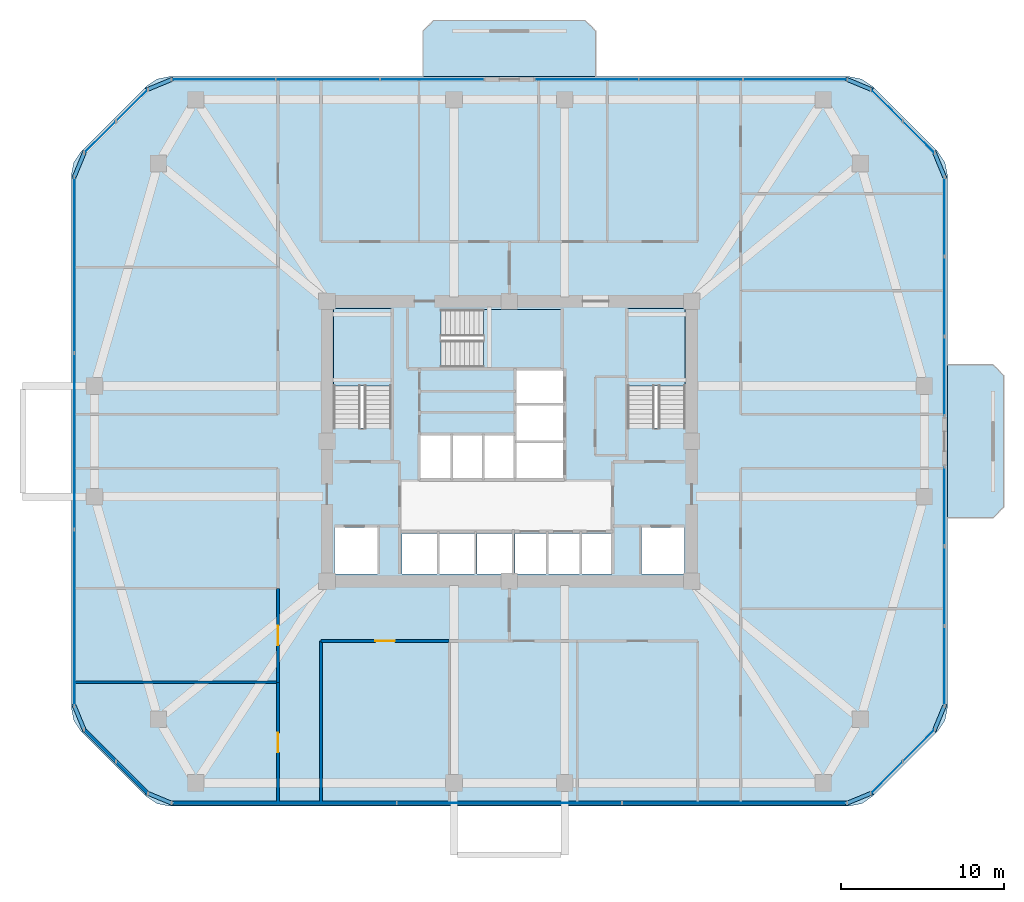
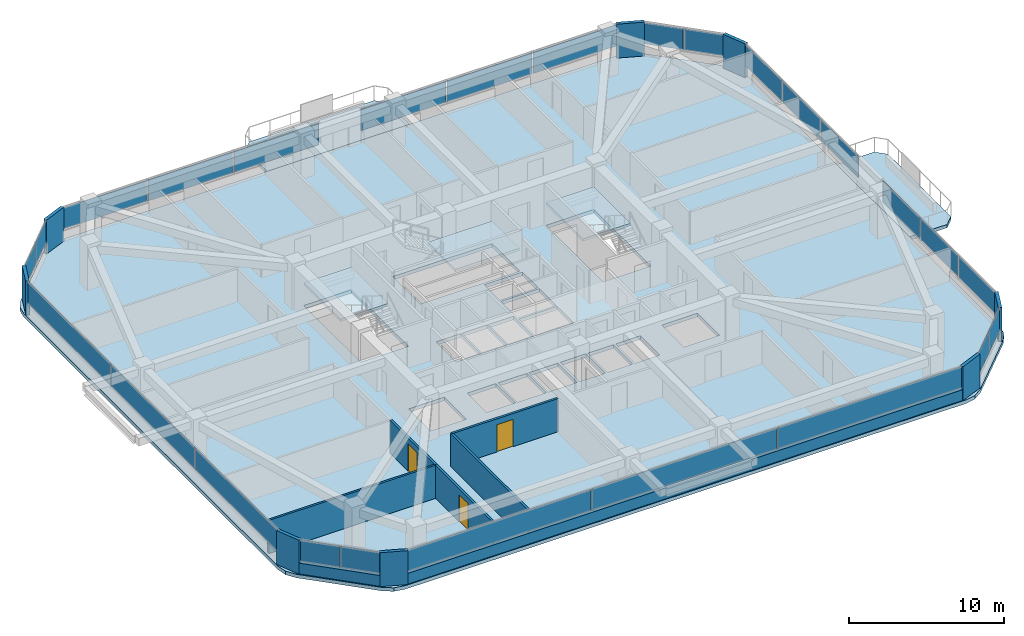
# One storey, part 8 of 14: 34 plates, 7 walls, 6 slabs, 3 doors, 3 openings, 13 elements without a shape of their own.
"""IFC4 building model written with IfcOpenShell, lengths in metres."""

from ifc_helpers import new_model, si_unit, derived_unit, direction, frame, frame_2d, origin, origin_2d, place, context, subcontext, project, spatial, polyline, rectangle, outline, extrude, material, layer, layer_set, type_object, element, fill, aggregate, save


model = new_model("IFC4")

# Units and contexts
model_context = context("Model", 3, precision=1e-05, world=origin(), true_north=direction((0.0, 1.0)))
body_context = subcontext(model_context, "Body", "Model", "MODEL_VIEW")
ifc_project = project(units=[si_unit("LENGTHUNIT", "METRE"), si_unit("AREAUNIT", "SQUARE_METRE"), si_unit("VOLUMEUNIT", "CUBIC_METRE"), si_unit("PLANEANGLEUNIT", "RADIAN"), si_unit("MASSUNIT", "GRAM", prefix="KILO"), derived_unit("THERMALTRANSMITTANCEUNIT", [(si_unit("POWERUNIT", "WATT"), 1), (si_unit("LENGTHUNIT", "METRE"), -2), (si_unit("THERMODYNAMICTEMPERATUREUNIT", "KELVIN"), -1)])], contexts=[model_context])

# Site, building, storey
site_placement = place(None, origin())
site = spatial("IfcSite", under=ifc_project, at=site_placement, CompositionType="ELEMENT")
building_placement = place(site_placement, origin())
building = spatial("IfcBuilding", under=site, at=building_placement, Name="Koralith Skygarden Medical Center", CompositionType="ELEMENT")
storey_placement = place(building_placement, frame((0.0, 0.0, 81.179931640625)))
storey = spatial("IfcBuildingStorey", under=building, at=storey_placement, Name="L20", CompositionType="ELEMENT", Elevation=81.179931640625)

# Curtain wall, plates
ifc_material_1 = material(Name="Clear Laminated Glass", Category="glass")
curtain_wall_type = type_object("IfcCurtainWallType", Name="CW-3 Zone 2 Faceted Solar Curtain Wall", PredefinedType="NOTDEFINED", material=ifc_material_1)
curtain_wall_1_placement = place(storey_placement, origin())
curtain_wall_1 = element("IfcCurtainWall", 1, at=curtain_wall_1_placement, inside=storey, type_object=curtain_wall_type, Name="Curtain Wall CW-L20-S", PredefinedType="NOTDEFINED")
ifc_layer_1 = layer(ifc_material_1, 0.033935546875)
ifc_layer_set_1 = layer_set([ifc_layer_1], Name="Clear Laminated Glass")
plate_type_1 = type_object("IfcPlateType", Name="CW-3 Hurricane Laminated IGU Panel 34", PredefinedType="CURTAIN_PANEL", material=ifc_layer_set_1)
plate_1_placement = place(storey_placement, frame((23.169921875, 3.679931640625, 0.919921875), z_axis=(0.0, 0.0, 1.0), x_axis=(1.0, 0.0, 0.0)))
plate_1 = element("IfcPlate", 2, at=plate_1_placement, type_object=plate_type_1, Name="CW-L20-S Glazed Panel 1", PredefinedType="CURTAIN_PANEL", context=body_context, shape_type="SweptSolid", body=[
    extrude(rectangle(XDim=13.739990234375, YDim=0.033935546875, at=origin_2d()), origin(), (0.0, 0.0, 1.0), 1.679931640625),
])
plate_2_placement = place(storey_placement, frame((37.0, 3.679931640625, 0.919921875), z_axis=(0.0, 0.0, 1.0), x_axis=(1.0, 0.0, 0.0)))
plate_2 = element("IfcPlate", 3, at=plate_2_placement, type_object=plate_type_1, Name="CW-L20-S Glazed Panel 2", PredefinedType="CURTAIN_PANEL", context=body_context, shape_type="SweptSolid", body=[
    extrude(rectangle(XDim=13.739990234375, YDim=0.033935546875, at=origin_2d()), origin(), (0.0, 0.0, 1.0), 1.679931640625),
])
plate_3_placement = place(storey_placement, frame((50.830078125, 3.679931640625, 0.919921875), z_axis=(0.0, 0.0, 1.0), x_axis=(1.0, 0.0, 0.0)))
plate_3 = element("IfcPlate", 4, at=plate_3_placement, type_object=plate_type_1, Name="CW-L20-S Glazed Panel 3", PredefinedType="CURTAIN_PANEL", context=body_context, shape_type="SweptSolid", body=[
    extrude(rectangle(XDim=13.739990234375, YDim=0.033935546875, at=origin_2d()), origin(), (0.0, 0.0, 1.0), 1.679931640625),
])
aggregate(curtain_wall_1, [plate_1, plate_2, plate_3])

curtain_wall_2_placement = place(storey_placement, origin())
curtain_wall_2 = element("IfcCurtainWall", 5, at=curtain_wall_2_placement, inside=storey, type_object=curtain_wall_type, Name="Curtain Wall CW-L20-SE", PredefinedType="NOTDEFINED")
plate_4_placement = place(storey_placement, frame((60.177001953125, 5.261962890625, 0.919921875), z_axis=(0.0, 0.0, 1.0), x_axis=(0.707106781187, 0.707106781187, 0.0)))
plate_4 = element("IfcPlate", 6, at=plate_4_placement, type_object=plate_type_1, Name="CW-L20-SE Glazed Panel 1", PredefinedType="CURTAIN_PANEL", context=body_context, shape_type="SweptSolid", body=[
    extrude(rectangle(XDim=2.68408203125, YDim=0.033935546875, at=origin_2d()), origin(), (0.0, 0.0, 1.0), 1.679931640625),
])
plate_5_placement = place(storey_placement, frame((62.137939453125, 7.222900390625, 0.919921875), z_axis=(0.0, 0.0, 1.0), x_axis=(0.707106781187, 0.707106781187, 0.0)))
plate_5 = element("IfcPlate", 7, at=plate_5_placement, type_object=plate_type_1, Name="CW-L20-SE Glazed Panel 2", PredefinedType="CURTAIN_PANEL", context=body_context, shape_type="SweptSolid", body=[
    extrude(rectangle(XDim=2.68408203125, YDim=0.033935546875, at=origin_2d()), origin(), (0.0, 0.0, 1.0), 1.679931640625),
])
aggregate(curtain_wall_2, [plate_4, plate_5])

curtain_wall_3_placement = place(storey_placement, origin())
curtain_wall_3 = element("IfcCurtainWall", 8, at=curtain_wall_3_placement, inside=storey, type_object=curtain_wall_type, Name="Curtain Wall CW-L20-E-L", PredefinedType="NOTDEFINED")
plate_6_placement = place(storey_placement, frame((63.719970703125, 12.10595703125, 0.919921875), z_axis=(0.0, 0.0, 1.0), x_axis=(0.0, 1.0, 0.0)))
plate_6 = element("IfcPlate", 9, at=plate_6_placement, type_object=plate_type_1, Name="CW-L20-E-L Glazed Panel 1", PredefinedType="CURTAIN_PANEL", context=body_context, shape_type="SweptSolid", body=[
    extrude(rectangle(XDim=4.81103515625, YDim=0.033935546875, at=origin_2d()), origin(), (0.0, 0.0, 1.0), 1.679931640625),
])
plate_7_placement = place(storey_placement, frame((63.719970703125, 17.007080078125, 0.919921875), z_axis=(0.0, 0.0, 1.0), x_axis=(0.0, 1.0, 0.0)))
plate_7 = element("IfcPlate", 10, at=plate_7_placement, type_object=plate_type_1, Name="CW-L20-E-L Glazed Panel 2", PredefinedType="CURTAIN_PANEL", context=body_context, shape_type="SweptSolid", body=[
    extrude(rectangle(XDim=4.81103515625, YDim=0.033935546875, at=origin_2d()), origin(), (0.0, 0.0, 1.0), 1.679931640625),
])
plate_8_placement = place(storey_placement, frame((63.719970703125, 21.907958984375, 0.919921875), z_axis=(0.0, 0.0, 1.0), x_axis=(0.0, 1.0, 0.0)))
plate_8 = element("IfcPlate", 11, at=plate_8_placement, type_object=plate_type_1, Name="CW-L20-E-L Glazed Panel 3", PredefinedType="CURTAIN_PANEL", context=body_context, shape_type="SweptSolid", body=[
    extrude(rectangle(XDim=4.81103515625, YDim=0.033935546875, at=origin_2d()), origin(), (0.0, 0.0, 1.0), 1.679931640625),
])
aggregate(curtain_wall_3, [plate_6, plate_7, plate_8])

curtain_wall_4_placement = place(storey_placement, origin())
curtain_wall_4 = element("IfcCurtainWall", 12, at=curtain_wall_4_placement, inside=storey, type_object=curtain_wall_type, Name="Curtain Wall CW-L20-E-R", PredefinedType="NOTDEFINED")
plate_9_placement = place(storey_placement, frame((63.719970703125, 29.889892578125, 0.919921875), z_axis=(0.0, 0.0, 1.0), x_axis=(0.0, 1.0, 0.0)))
plate_9 = element("IfcPlate", 13, at=plate_9_placement, type_object=plate_type_1, Name="CW-L20-E-R Glazed Panel 1", PredefinedType="CURTAIN_PANEL", context=body_context, shape_type="SweptSolid", body=[
    extrude(rectangle(XDim=4.81201171875, YDim=0.033935546875, at=origin_2d()), origin(), (0.0, 0.0, 1.0), 1.679931640625),
])
plate_10_placement = place(storey_placement, frame((63.719970703125, 34.7919921875, 0.919921875), z_axis=(0.0, 0.0, 1.0), x_axis=(0.0, 1.0, 0.0)))
plate_10 = element("IfcPlate", 14, at=plate_10_placement, type_object=plate_type_1, Name="CW-L20-E-R Glazed Panel 2", PredefinedType="CURTAIN_PANEL", context=body_context, shape_type="SweptSolid", body=[
    extrude(rectangle(XDim=4.81201171875, YDim=0.033935546875, at=origin_2d()), origin(), (0.0, 0.0, 1.0), 1.679931640625),
])
plate_11_placement = place(storey_placement, frame((63.719970703125, 39.694091796875, 0.919921875), z_axis=(0.0, 0.0, 1.0), x_axis=(0.0, 1.0, 0.0)))
plate_11 = element("IfcPlate", 15, at=plate_11_placement, type_object=plate_type_1, Name="CW-L20-E-R Glazed Panel 3", PredefinedType="CURTAIN_PANEL", context=body_context, shape_type="SweptSolid", body=[
    extrude(rectangle(XDim=4.81201171875, YDim=0.033935546875, at=origin_2d()), origin(), (0.0, 0.0, 1.0), 1.679931640625),
])
aggregate(curtain_wall_4, [plate_9, plate_10, plate_11])

curtain_wall_5_placement = place(storey_placement, origin())
curtain_wall_5 = element("IfcCurtainWall", 16, at=curtain_wall_5_placement, inside=storey, type_object=curtain_wall_type, Name="Curtain Wall CW-L20-NE", PredefinedType="NOTDEFINED")
plate_12_placement = place(storey_placement, frame((62.137939453125, 44.576904296875, 0.919921875), z_axis=(0.0, 0.0, 1.0), x_axis=(-0.707106781187, 0.707106781187, 0.0)))
plate_12 = element("IfcPlate", 17, at=plate_12_placement, type_object=plate_type_1, Name="CW-L20-NE Glazed Panel 1", PredefinedType="CURTAIN_PANEL", context=body_context, shape_type="SweptSolid", body=[
    extrude(rectangle(XDim=2.68408203125, YDim=0.033935546875, at=origin_2d()), origin(), (0.0, 0.0, 1.0), 1.679931640625),
])
plate_13_placement = place(storey_placement, frame((60.177001953125, 46.5380859375, 0.919921875), z_axis=(0.0, 0.0, 1.0), x_axis=(-0.707106781187, 0.707106781187, 0.0)))
plate_13 = element("IfcPlate", 18, at=plate_13_placement, type_object=plate_type_1, Name="CW-L20-NE Glazed Panel 2", PredefinedType="CURTAIN_PANEL", context=body_context, shape_type="SweptSolid", body=[
    extrude(rectangle(XDim=2.68408203125, YDim=0.033935546875, at=origin_2d()), origin(), (0.0, 0.0, 1.0), 1.679931640625),
])
aggregate(curtain_wall_5, [plate_12, plate_13])

curtain_wall_6_placement = place(storey_placement, origin())
curtain_wall_6 = element("IfcCurtainWall", 19, at=curtain_wall_6_placement, inside=storey, type_object=curtain_wall_type, Name="Curtain Wall CW-L20-N-L", PredefinedType="NOTDEFINED")
plate_14_placement = place(storey_placement, frame((54.5439453125, 48.1201171875, 0.919921875), z_axis=(0.0, 0.0, 1.0), x_axis=(-1.0, 0.0, 0.0)))
plate_14 = element("IfcPlate", 20, at=plate_14_placement, type_object=plate_type_1, Name="CW-L20-N-L Glazed Panel 1", PredefinedType="CURTAIN_PANEL", context=body_context, shape_type="SweptSolid", body=[
    extrude(rectangle(XDim=6.31103515625, YDim=0.033935546875, at=origin_2d()), origin(), (0.0, 0.0, 1.0), 1.679931640625),
])
plate_15_placement = place(storey_placement, frame((48.14306640625, 48.1201171875, 0.919921875), z_axis=(0.0, 0.0, 1.0), x_axis=(-1.0, 0.0, 0.0)))
plate_15 = element("IfcPlate", 21, at=plate_15_placement, type_object=plate_type_1, Name="CW-L20-N-L Glazed Panel 2", PredefinedType="CURTAIN_PANEL", context=body_context, shape_type="SweptSolid", body=[
    extrude(rectangle(XDim=6.31103515625, YDim=0.033935546875, at=origin_2d()), origin(), (0.0, 0.0, 1.0), 1.679931640625),
])
plate_16_placement = place(storey_placement, frame((41.741943359375, 48.1201171875, 0.919921875), z_axis=(0.0, 0.0, 1.0), x_axis=(-1.0, 0.0, 0.0)))
plate_16 = element("IfcPlate", 22, at=plate_16_placement, type_object=plate_type_1, Name="CW-L20-N-L Glazed Panel 3", PredefinedType="CURTAIN_PANEL", context=body_context, shape_type="SweptSolid", body=[
    extrude(rectangle(XDim=6.31103515625, YDim=0.033935546875, at=origin_2d()), origin(), (0.0, 0.0, 1.0), 1.679931640625),
])
aggregate(curtain_wall_6, [plate_14, plate_15, plate_16])

curtain_wall_7_placement = place(storey_placement, origin())
curtain_wall_7 = element("IfcCurtainWall", 23, at=curtain_wall_7_placement, inside=storey, type_object=curtain_wall_type, Name="Curtain Wall CW-L20-N-R", PredefinedType="NOTDEFINED")
plate_17_placement = place(storey_placement, frame((32.260009765625, 48.1201171875, 0.919921875), z_axis=(0.0, 0.0, 1.0), x_axis=(-1.0, 0.0, 0.0)))
plate_17 = element("IfcPlate", 24, at=plate_17_placement, type_object=plate_type_1, Name="CW-L20-N-R Glazed Panel 1", PredefinedType="CURTAIN_PANEL", context=body_context, shape_type="SweptSolid", body=[
    extrude(rectangle(XDim=6.31201171875, YDim=0.033935546875, at=origin_2d()), origin(), (0.0, 0.0, 1.0), 1.679931640625),
])
plate_18_placement = place(storey_placement, frame((25.85791015625, 48.1201171875, 0.919921875), z_axis=(0.0, 0.0, 1.0), x_axis=(-1.0, 0.0, 0.0)))
plate_18 = element("IfcPlate", 25, at=plate_18_placement, type_object=plate_type_1, Name="CW-L20-N-R Glazed Panel 2", PredefinedType="CURTAIN_PANEL", context=body_context, shape_type="SweptSolid", body=[
    extrude(rectangle(XDim=6.31201171875, YDim=0.033935546875, at=origin_2d()), origin(), (0.0, 0.0, 1.0), 1.679931640625),
])
plate_19_placement = place(storey_placement, frame((19.4560546875, 48.1201171875, 0.919921875), z_axis=(0.0, 0.0, 1.0), x_axis=(-1.0, 0.0, 0.0)))
plate_19 = element("IfcPlate", 26, at=plate_19_placement, type_object=plate_type_1, Name="CW-L20-N-R Glazed Panel 3", PredefinedType="CURTAIN_PANEL", context=body_context, shape_type="SweptSolid", body=[
    extrude(rectangle(XDim=6.31201171875, YDim=0.033935546875, at=origin_2d()), origin(), (0.0, 0.0, 1.0), 1.679931640625),
])
aggregate(curtain_wall_7, [plate_17, plate_18, plate_19])

curtain_wall_8_placement = place(storey_placement, origin())
curtain_wall_8 = element("IfcCurtainWall", 27, at=curtain_wall_8_placement, inside=storey, type_object=curtain_wall_type, Name="Curtain Wall CW-L20-NW", PredefinedType="NOTDEFINED")
plate_20_placement = place(storey_placement, frame((13.822998046875, 46.5380859375, 0.919921875), z_axis=(0.0, 0.0, 1.0), x_axis=(-0.707106781187, -0.707106781187, 0.0)))
plate_20 = element("IfcPlate", 28, at=plate_20_placement, type_object=plate_type_1, Name="CW-L20-NW Glazed Panel 1", PredefinedType="CURTAIN_PANEL", context=body_context, shape_type="SweptSolid", body=[
    extrude(rectangle(XDim=2.68408203125, YDim=0.033935546875, at=origin_2d()), origin(), (0.0, 0.0, 1.0), 1.679931640625),
])
plate_21_placement = place(storey_placement, frame((11.862060546875, 44.576904296875, 0.919921875), z_axis=(0.0, 0.0, 1.0), x_axis=(-0.707106781187, -0.707106781187, 0.0)))
plate_21 = element("IfcPlate", 29, at=plate_21_placement, type_object=plate_type_1, Name="CW-L20-NW Glazed Panel 2", PredefinedType="CURTAIN_PANEL", context=body_context, shape_type="SweptSolid", body=[
    extrude(rectangle(XDim=2.68408203125, YDim=0.033935546875, at=origin_2d()), origin(), (0.0, 0.0, 1.0), 1.679931640625),
])
aggregate(curtain_wall_8, [plate_20, plate_21])

curtain_wall_9_placement = place(storey_placement, origin())
curtain_wall_9 = element("IfcCurtainWall", 30, at=curtain_wall_9_placement, inside=storey, type_object=curtain_wall_type, Name="Curtain Wall CW-L20-W", PredefinedType="NOTDEFINED")
plate_22_placement = place(storey_placement, frame((10.280029296875, 36.72998046875, 0.919921875), z_axis=(0.0, 0.0, 1.0), x_axis=(0.0, -1.0, 0.0)))
plate_22 = element("IfcPlate", 31, at=plate_22_placement, type_object=plate_type_1, Name="CW-L20-W Glazed Panel 1", PredefinedType="CURTAIN_PANEL", context=body_context, shape_type="SweptSolid", body=[
    extrude(rectangle(XDim=10.739990234375, YDim=0.033935546875, at=origin_2d()), origin(), (0.0, 0.0, 1.0), 1.679931640625),
])
plate_23_placement = place(storey_placement, frame((10.280029296875, 25.89990234375, 0.919921875), z_axis=(0.0, 0.0, 1.0), x_axis=(0.0, -1.0, 0.0)))
plate_23 = element("IfcPlate", 32, at=plate_23_placement, type_object=plate_type_1, Name="CW-L20-W Glazed Panel 2", PredefinedType="CURTAIN_PANEL", context=body_context, shape_type="SweptSolid", body=[
    extrude(rectangle(XDim=10.739990234375, YDim=0.033935546875, at=origin_2d()), origin(), (0.0, 0.0, 1.0), 1.679931640625),
])
plate_24_placement = place(storey_placement, frame((10.280029296875, 15.070068359375, 0.919921875), z_axis=(0.0, 0.0, 1.0), x_axis=(0.0, -1.0, 0.0)))
plate_24 = element("IfcPlate", 33, at=plate_24_placement, type_object=plate_type_1, Name="CW-L20-W Glazed Panel 3", PredefinedType="CURTAIN_PANEL", context=body_context, shape_type="SweptSolid", body=[
    extrude(rectangle(XDim=10.739990234375, YDim=0.033935546875, at=origin_2d()), origin(), (0.0, 0.0, 1.0), 1.679931640625),
])
aggregate(curtain_wall_9, [plate_22, plate_23, plate_24])

curtain_wall_10_placement = place(storey_placement, origin())
curtain_wall_10 = element("IfcCurtainWall", 34, at=curtain_wall_10_placement, inside=storey, type_object=curtain_wall_type, Name="Curtain Wall CW-L20-SW", PredefinedType="NOTDEFINED")
plate_25_placement = place(storey_placement, frame((11.862060546875, 7.222900390625, 0.919921875), z_axis=(0.0, 0.0, 1.0), x_axis=(0.707106781187, -0.707106781187, 0.0)))
plate_25 = element("IfcPlate", 35, at=plate_25_placement, type_object=plate_type_1, Name="CW-L20-SW Glazed Panel 1", PredefinedType="CURTAIN_PANEL", context=body_context, shape_type="SweptSolid", body=[
    extrude(rectangle(XDim=2.68408203125, YDim=0.033935546875, at=origin_2d()), origin(), (0.0, 0.0, 1.0), 1.679931640625),
])
plate_26_placement = place(storey_placement, frame((13.822998046875, 5.261962890625, 0.919921875), z_axis=(0.0, 0.0, 1.0), x_axis=(0.707106781187, -0.707106781187, 0.0)))
plate_26 = element("IfcPlate", 36, at=plate_26_placement, type_object=plate_type_1, Name="CW-L20-SW Glazed Panel 2", PredefinedType="CURTAIN_PANEL", context=body_context, shape_type="SweptSolid", body=[
    extrude(rectangle(XDim=2.68408203125, YDim=0.033935546875, at=origin_2d()), origin(), (0.0, 0.0, 1.0), 1.679931640625),
])
aggregate(curtain_wall_10, [plate_25, plate_26])

# Slabs
ifc_material_2 = material(Name="Concrete C45/55", Category="concrete")
ifc_layer_2 = layer(ifc_material_2, 0.260009765625)
ifc_layer_set_2 = layer_set([ifc_layer_2], Name="Concrete C45/55")
slab_type_1 = type_object("IfcSlabType", Name="Cantilevered Planted Balcony Slab 260", PredefinedType="FLOOR", material=ifc_layer_set_2)
slab_1_placement = place(storey_placement, frame((0.0, 0.0, -0.260009765625)))
element("IfcSlab", 37, at=slab_1_placement, inside=storey, type_object=slab_type_1, Name="L20 N Planted Sky-Garden Balcony Slab", PredefinedType="FLOOR", context=body_context, shape_type="SweptSolid", body=[
    extrude(outline(polyline([(31.699951171875, 48.300048828125), (42.300048828125, 48.300048828125), (42.300048828125, 51.10009765625), (41.64990234375, 51.75), (32.35009765625, 51.75), (31.699951171875, 51.10009765625), (31.699951171875, 48.300048828125)])), origin(), (0.0, 0.0, 1.0), 0.260009765625),
])
slab_2_placement = place(storey_placement, frame((0.0, 0.0, -0.260009765625)))
element("IfcSlab", 38, at=slab_2_placement, inside=storey, type_object=slab_type_1, Name="L20 E Planted Sky-Garden Balcony Slab", PredefinedType="FLOOR", context=body_context, shape_type="SweptSolid", body=[
    extrude(outline(polyline([(63.89990234375, 21.199951171875), (66.699951171875, 21.199951171875), (67.35009765625, 21.85009765625), (67.35009765625, 29.949951171875), (66.699951171875, 30.60009765625), (63.89990234375, 30.60009765625), (63.89990234375, 21.199951171875)])), origin(), (0.0, 0.0, 1.0), 0.260009765625),
])

# Stair, slab
stair_type = type_object("IfcStairType", Name="Core Exit Dogleg Concrete Stair", PredefinedType="HALF_TURN_STAIR", material=ifc_material_2)
stair_1_placement = place(storey_placement, origin())
stair_1 = element("IfcStair", 39, at=stair_1_placement, inside=storey, type_object=stair_type, Name="L20 Smokeproof Exit Stair ST1", PredefinedType="HALF_TURN_STAIR")
ifc_layer_3 = layer(ifc_material_2, 0.199951171875)
ifc_layer_set_3 = layer_set([ifc_layer_3], Name="Concrete C45/55")
slab_type_2 = type_object("IfcSlabType", Name="Core Exit Concrete Stair Landing 200", PredefinedType="LANDING", material=ifc_layer_set_3)
slab_3_placement = place(storey_placement, frame((0.0, 0.0, 1.60009765625)))
slab_3 = element("IfcSlab", 40, at=slab_3_placement, type_object=slab_type_2, Name="ST1 landing 1", PredefinedType="LANDING", context=body_context, shape_type="SweptSolid", body=[
    extrude(outline(polyline([(29.75, 29.31005859375), (29.75, 34.050048828125), (26.199951171875, 34.050048828125), (26.199951171875, 29.31005859375), (29.75, 29.31005859375)])), origin(), (0.0, 0.0, 1.0), 0.199951171875),
])
aggregate(stair_1, [slab_3])

stair_2_placement = place(storey_placement, origin())
stair_2 = element("IfcStair", 41, at=stair_2_placement, inside=storey, type_object=stair_type, Name="L20 Smokeproof Exit Stair ST2", PredefinedType="HALF_TURN_STAIR")
slab_4_placement = place(storey_placement, frame((0.0, 0.0, 1.60009765625)))
slab_4 = element("IfcSlab", 42, at=slab_4_placement, type_object=slab_type_2, Name="ST2 landing 1", PredefinedType="LANDING", context=body_context, shape_type="SweptSolid", body=[
    extrude(outline(polyline([(47.800048828125, 29.31005859375), (47.800048828125, 34.050048828125), (44.25, 34.050048828125), (44.25, 29.31005859375), (47.800048828125, 29.31005859375)])), origin(), (0.0, 0.0, 1.0), 0.199951171875),
])
aggregate(stair_2, [slab_4])

stair_3_placement = place(storey_placement, origin())
stair_3 = element("IfcStair", 43, at=stair_3_placement, inside=storey, type_object=stair_type, Name="L20 Smokeproof Exit Stair ST3", PredefinedType="HALF_TURN_STAIR")
slab_5_placement = place(storey_placement, frame((0.0, 0.0, 1.60009765625)))
slab_5 = element("IfcSlab", 44, at=slab_5_placement, type_object=slab_type_2, Name="ST3 landing 1", PredefinedType="LANDING", context=body_context, shape_type="SweptSolid", body=[
    extrude(outline(polyline([(35.409912109375, 30.449951171875), (40.199951171875, 30.449951171875), (40.199951171875, 34.0), (35.409912109375, 34.0), (35.409912109375, 30.449951171875)])), origin(), (0.0, 0.0, 1.0), 0.199951171875),
])
aggregate(stair_3, [slab_5])

# Slab
ifc_layer_4 = layer(ifc_material_2, 0.280029296875)
ifc_layer_set_4 = layer_set([ifc_layer_4], Name="Concrete C45/55")
slab_type_3 = type_object("IfcSlabType", Name="Post-Tensioned Ward Floor Plate 280", PredefinedType="FLOOR", material=ifc_layer_set_4)
slab_6_placement = place(storey_placement, frame((0.0, 0.0, -0.280029296875)))
element("IfcSlab", 45, at=slab_6_placement, inside=storey, type_object=slab_type_3, Name="Level L20 Structural Floor Slab", PredefinedType="FLOOR", context=body_context, shape_type="SweptSolid", body=[
    extrude(outline(polyline([(14.714111328125, 4.0859375), (15.363037109375, 3.652099609375), (16.1279296875, 3.5), (57.8720703125, 3.5), (58.636962890625, 3.652099609375), (59.285888671875, 4.0859375), (63.31396484375, 8.114013671875), (63.748046875, 8.762939453125), (63.89990234375, 9.528076171875), (63.89990234375, 42.27197265625), (63.748046875, 43.037109375), (63.31396484375, 43.68603515625), (59.285888671875, 47.714111328125), (58.636962890625, 48.14794921875), (57.8720703125, 48.300048828125), (16.1279296875, 48.300048828125), (15.363037109375, 48.14794921875), (14.714111328125, 47.714111328125), (10.68603515625, 43.68603515625), (10.251953125, 43.037109375), (10.10009765625, 42.27197265625), (10.10009765625, 9.528076171875), (10.251953125, 8.762939453125), (10.68603515625, 8.114013671875), (14.714111328125, 4.0859375)]), holes=[polyline([(26.199951171875, 26.705078125), (29.75, 26.705078125), (29.75, 34.050048828125), (26.199951171875, 34.050048828125), (26.199951171875, 26.705078125)]), polyline([(44.25, 26.705078125), (47.800048828125, 26.705078125), (47.800048828125, 34.050048828125), (44.25, 34.050048828125), (44.25, 26.705078125)]), polyline([(32.804931640625, 30.449951171875), (40.199951171875, 30.449951171875), (40.199951171875, 34.0), (32.804931640625, 34.0), (32.804931640625, 30.449951171875)]), polyline([(26.25, 17.75), (28.89990234375, 17.75), (28.89990234375, 20.60009765625), (26.25, 20.60009765625), (26.25, 17.75)]), polyline([(45.10009765625, 17.75), (47.75, 17.75), (47.75, 20.60009765625), (45.10009765625, 20.60009765625), (45.10009765625, 17.75)]), polyline([(30.39990234375, 17.75), (32.550048828125, 17.75), (32.550048828125, 20.25), (30.39990234375, 20.25), (30.39990234375, 17.75)]), polyline([(32.699951171875, 17.75), (34.85009765625, 17.75), (34.85009765625, 20.25), (32.699951171875, 20.25), (32.699951171875, 17.75)]), polyline([(35.0, 17.75), (37.14990234375, 17.75), (37.14990234375, 20.25), (35.0, 20.25), (35.0, 17.75)]), polyline([(37.35009765625, 17.75), (39.25, 17.75), (39.25, 20.25), (37.35009765625, 20.25), (37.35009765625, 17.75)]), polyline([(39.39990234375, 17.75), (41.300048828125, 17.75), (41.300048828125, 20.25), (39.39990234375, 20.25), (39.39990234375, 17.75)]), polyline([(41.449951171875, 17.75), (43.300048828125, 17.75), (43.300048828125, 20.25), (41.449951171875, 20.25), (41.449951171875, 17.75)]), polyline([(31.550048828125, 23.64990234375), (33.39990234375, 23.64990234375), (33.39990234375, 26.25), (31.550048828125, 26.25), (31.550048828125, 23.64990234375)]), polyline([(33.5, 23.64990234375), (35.35009765625, 23.64990234375), (35.35009765625, 26.25), (33.5, 26.25), (33.5, 23.64990234375)]), polyline([(35.449951171875, 23.64990234375), (37.300048828125, 23.64990234375), (37.300048828125, 26.25), (35.449951171875, 26.25), (35.449951171875, 23.64990234375)]), polyline([(37.449951171875, 23.64990234375), (40.300048828125, 23.64990234375), (40.300048828125, 25.800048828125), (37.449951171875, 25.800048828125), (37.449951171875, 23.64990234375)]), polyline([(37.449951171875, 25.949951171875), (40.300048828125, 25.949951171875), (40.300048828125, 28.10009765625), (37.449951171875, 28.10009765625), (37.449951171875, 25.949951171875)]), polyline([(37.449951171875, 28.25), (40.300048828125, 28.25), (40.300048828125, 30.25), (37.449951171875, 30.25), (37.449951171875, 28.25)])]), origin(), (0.0, 0.0, 1.0), 0.280029296875),
])

# Plates
ifc_material_3 = material(Name="Warm Oolitic Limestone Cladding", Category="masonry")
ifc_layer_5 = layer(ifc_material_3, 0.239990234375)
ifc_layer_set_5 = layer_set([ifc_layer_5], Name="Warm Oolitic Limestone Cladding")
plate_type_2 = type_object("IfcPlateType", Name="Rounded-Corner Oolitic Limestone Cladding Panel 240", PredefinedType="USERDEFINED", material=ifc_layer_set_5)
for number, where, z_axis, x_axis, name in (
    (46, (58.470947265625, 3.98095703125, 0.0), (0.0, 0.0, 1.0), (0.92388487569, 0.382670532536, 0.0), "L20 Rounded-Corner Limestone Pier 1"),
    (47, (63.4189453125, 8.929931640625, 0.0), (0.0, 0.0, 1.0), (0.382670532536, 0.92388487569, 0.0), "L20 Rounded-Corner Limestone Pier 2"),
    (48, (63.4189453125, 42.8701171875, 0.0), (0.0, 0.0, 1.0), (-0.382670532536, 0.92388487569, 0.0), "L20 Rounded-Corner Limestone Pier 3"),
    (49, (58.470947265625, 47.819091796875, 0.0), (0.0, 0.0, 1.0), (-0.92388487569, 0.382670532536, 0.0), "L20 Rounded-Corner Limestone Pier 4"),
    (50, (15.529052734375, 47.819091796875, 0.0), (0.0, 0.0, 1.0), (-0.92388487569, -0.382670532536, 0.0), "L20 Rounded-Corner Limestone Pier 5"),
    (51, (10.5810546875, 42.8701171875, 0.0), (0.0, 0.0, 1.0), (-0.382670532536, -0.92388487569, 0.0), "L20 Rounded-Corner Limestone Pier 6"),
    (52, (10.5810546875, 8.929931640625, 0.0), (0.0, 0.0, 1.0), (0.382670532536, -0.92388487569, 0.0), "L20 Rounded-Corner Limestone Pier 7"),
    (53, (15.529052734375, 3.98095703125, 0.0), (0.0, 0.0, 1.0), (0.92388487569, -0.382670532536, 0.0), "L20 Rounded-Corner Limestone Pier 8"),
):
    element("IfcPlate", number, at=place(storey_placement, frame(where, z_axis=z_axis, x_axis=x_axis)), inside=storey, type_object=plate_type_2, Name=name, ObjectType="LIMESTONE CLADDING", PredefinedType="USERDEFINED", context=body_context, shape_type="SweptSolid", body=[
        extrude(rectangle(XDim=1.81103515625, YDim=0.239990234375, at=origin_2d()), origin(), (0.0, 0.0, 1.0), 2.669921875),
    ])

# Walls
ifc_material_4 = material(Name="Gypsum Board Partition")
ifc_layer_6 = layer(ifc_material_4, 0.14990234375)
ifc_layer_set_6 = layer_set([ifc_layer_6], Name="Gypsum Board Partition")
wall_type_1 = type_object("IfcWallType", Name="Clinical Acoustic Partition 150", PredefinedType="PARTITIONING", material=ifc_layer_set_6)
wall_1_placement = place(storey_placement, frame((22.7900390625, 11.093994140625, 0.0), z_axis=(0.0, 0.0, 1.0), x_axis=(-1.0, 0.0, 0.0)))
element("IfcWall", 54, at=wall_1_placement, inside=storey, type_object=wall_type_1, Name="L20 Clinical Acoustic Partition 150 W-PART-L20-WS-01", PredefinedType="PARTITIONING", context=body_context, shape_type="SweptSolid", body=[
    extrude(rectangle(XDim=12.489990234375, YDim=0.14990234375, at=frame_2d((6.2451171875, 0.0))), origin(), (0.0, 0.0, 1.0), 2.610107421875),
])
ifc_layer_7 = layer(ifc_material_4, 0.1650390625)
ifc_layer_set_7 = layer_set([ifc_layer_7], Name="Gypsum Board Partition")
wall_type_2 = type_object("IfcWallType", Name="Clinical Corridor Partition 165", PredefinedType="PARTITIONING", material=ifc_layer_set_7)
wall_2_placement = place(storey_placement, frame((25.429931640625, 3.699951171875, 0.0), z_axis=(0.0, 0.0, 1.0), x_axis=(0.0, 1.0, 0.0)))
element("IfcWall", 55, at=wall_2_placement, inside=storey, type_object=wall_type_2, Name="L20 Clinical Corridor Partition 165 W-HCOR-L20-SW", PredefinedType="PARTITIONING", context=body_context, shape_type="SweptSolid", body=[
    extrude(rectangle(XDim=9.93994140625, YDim=0.1650390625, at=frame_2d((4.969970703125, 0.0))), origin(), (0.0, 0.0, 1.0), 2.610107421875),
])

# Wall, opening, door
wall_3_placement = place(storey_placement, frame((25.429931640625, 13.639892578125, 0.0), z_axis=(0.0, 0.0, 1.0), x_axis=(1.0, 0.0, 0.0)))
wall_3 = element("IfcWall", 56, at=wall_3_placement, inside=storey, type_object=wall_type_2, Name="L20 Clinical Corridor Partition 165 W-CORR-L20-S-01", PredefinedType="PARTITIONING", context=body_context, shape_type="SweptSolid", body=[
    extrude(rectangle(XDim=7.87109375, YDim=0.1650390625, at=frame_2d((3.935546875, 0.0))), origin(), (0.0, 0.0, 1.0), 2.610107421875),
])
opening_1_placement = place(wall_3_placement, frame((3.3359375, 0.0, 0.0)))
opening_1 = element("IfcOpeningElement", 57, at=opening_1_placement, cuts=wall_3, Name="Opening D-CLN", PredefinedType="OPENING", context=body_context, shape_type="SweptSolid", body=[
    extrude(rectangle(XDim=1.199951171875, YDim=2.14990234375, at=frame_2d((0.60009765625, 1.074951171875))), frame((0.0, 0.092529296875, 0.0), z_axis=(0.0, -1.0, 0.0), x_axis=(1.0, 0.0, 0.0)), (0.0, 0.0, 1.0), 0.18505859375),
])
ifc_material_5 = material(Name="Aluminium 6063-T6", Category="aluminium")
door_type = type_object("IfcDoorType", Name="Clinical Corridor Door D-CLN 1200", OperationType="NOTDEFINED", PredefinedType="DOOR", material=ifc_material_5)
door_1_placement = place(opening_1_placement, frame((1.199951171875, 0.0, 0.0), z_axis=(0.0, 0.0, 1.0), x_axis=(-1.0, 0.0, 0.0)))
door_1 = element("IfcDoor", 58, at=door_1_placement, inside=storey, type_object=door_type, Name="L20 Clinical Consultation Office 05 Door", OperationType="SINGLE_SWING_RIGHT", OverallHeight=2.14990234375, OverallWidth=1.199951171875, PredefinedType="DOOR", context=body_context, shape_type="SweptSolid", body=[
    extrude(rectangle(XDim=1.199951171875, YDim=2.14990234375, at=frame_2d((0.60009765625, 1.074951171875))), frame((0.0, 0.02490234375, 0.0), z_axis=(0.0, -1.0, 0.0), x_axis=(1.0, 0.0, 0.0)), (0.0, 0.0, 1.0), 0.050048828125),
])
fill(opening_1, door_1)

wall_4_placement = place(storey_placement, frame((22.7900390625, 3.699951171875, 0.0), z_axis=(0.0, 0.0, 1.0), x_axis=(0.0, 1.0, 0.0)))
wall_4 = element("IfcWall", 59, at=wall_4_placement, inside=storey, type_object=wall_type_2, Name="L20 Clinical Corridor Partition 165 W-CORR-L20-WS-01", PredefinedType="PARTITIONING", context=body_context, shape_type="SweptSolid", body=[
    extrude(rectangle(XDim=7.39404296875, YDim=0.1650390625, at=frame_2d((3.697021484375, 0.0))), origin(), (0.0, 0.0, 1.0), 2.610107421875),
])
opening_2_placement = place(wall_4_placement, frame((3.096923828125, 0.0, 0.0)))
opening_2 = element("IfcOpeningElement", 60, at=opening_2_placement, cuts=wall_4, Name="Opening D-CLN", PredefinedType="OPENING", context=body_context, shape_type="SweptSolid", body=[
    extrude(rectangle(XDim=1.199951171875, YDim=2.14990234375, at=frame_2d((0.60009765625, 1.074951171875))), frame((0.0, 0.092529296875, 0.0), z_axis=(0.0, -1.0, 0.0), x_axis=(1.0, 0.0, 0.0)), (0.0, 0.0, 1.0), 0.18505859375),
])
door_2_placement = place(opening_2_placement, frame((1.199951171875, 0.0, 0.0), z_axis=(0.0, 0.0, 1.0), x_axis=(-1.0, 0.0, 0.0)))
door_2 = element("IfcDoor", 61, at=door_2_placement, inside=storey, type_object=door_type, Name="L20 Patient Nutrition Pantry 08 Door", OperationType="SINGLE_SWING_LEFT", OverallHeight=2.14990234375, OverallWidth=1.199951171875, PredefinedType="DOOR", context=body_context, shape_type="SweptSolid", body=[
    extrude(rectangle(XDim=1.199951171875, YDim=2.14990234375, at=frame_2d((0.60009765625, 1.074951171875))), frame((0.0, 0.02490234375, 0.0), z_axis=(0.0, -1.0, 0.0), x_axis=(1.0, 0.0, 0.0)), (0.0, 0.0, 1.0), 0.050048828125),
])
fill(opening_2, door_2)

wall_5_placement = place(storey_placement, frame((22.7900390625, 11.093994140625, 0.0), z_axis=(0.0, 0.0, 1.0), x_axis=(0.0, 1.0, 0.0)))
wall_5 = element("IfcWall", 62, at=wall_5_placement, inside=storey, type_object=wall_type_2, Name="L20 Clinical Corridor Partition 165 W-CORR-L20-WS-02", PredefinedType="PARTITIONING", context=body_context, shape_type="SweptSolid", body=[
    extrude(rectangle(XDim=5.783935546875, YDim=0.1650390625, at=frame_2d((2.89208984375, 0.0))), origin(), (0.0, 0.0, 1.0), 2.610107421875),
])
opening_3_placement = place(wall_5_placement, frame((2.2919921875, 0.0, 0.0)))
opening_3 = element("IfcOpeningElement", 63, at=opening_3_placement, cuts=wall_5, Name="Opening D-CLN", PredefinedType="OPENING", context=body_context, shape_type="SweptSolid", body=[
    extrude(rectangle(XDim=1.199951171875, YDim=2.14990234375, at=frame_2d((0.60009765625, 1.074951171875))), frame((0.0, 0.092529296875, 0.0), z_axis=(0.0, -1.0, 0.0), x_axis=(1.0, 0.0, 0.0)), (0.0, 0.0, 1.0), 0.18505859375),
])
door_3_placement = place(opening_3_placement, frame((1.199951171875, 0.0, 0.0), z_axis=(0.0, 0.0, 1.0), x_axis=(-1.0, 0.0, 0.0)))
door_3 = element("IfcDoor", 64, at=door_3_placement, inside=storey, type_object=door_type, Name="L20 Clinical Consultation Office 09 Door", OperationType="SINGLE_SWING_RIGHT", OverallHeight=2.14990234375, OverallWidth=1.199951171875, PredefinedType="DOOR", context=body_context, shape_type="SweptSolid", body=[
    extrude(rectangle(XDim=1.199951171875, YDim=2.14990234375, at=frame_2d((0.60009765625, 1.074951171875))), frame((0.0, 0.02490234375, 0.0), z_axis=(0.0, -1.0, 0.0), x_axis=(1.0, 0.0, 0.0)), (0.0, 0.0, 1.0), 0.050048828125),
])
fill(opening_3, door_3)

# Walls
ifc_layer_8 = layer(ifc_material_3, 0.239990234375)
ifc_layer_set_8 = layer_set([ifc_layer_8], Name="Warm Oolitic Limestone Cladding")
wall_type_3 = type_object("IfcWallType", Name="Limestone Spandrel Sill Backup Wall 240", PredefinedType="SOLIDWALL", material=ifc_layer_set_8)
wall_6_placement = place(storey_placement, frame((16.2548828125, 3.679931640625, 0.0), z_axis=(0.0, 0.0, 1.0), x_axis=(1.0, 0.0, 0.0)))
element("IfcWall", 65, at=wall_6_placement, inside=storey, type_object=wall_type_3, Name="L20 Sill Spandrel S", PredefinedType="SOLIDWALL", context=body_context, shape_type="SweptSolid", body=[
    extrude(rectangle(XDim=41.490234375, YDim=0.239990234375, at=frame_2d((20.7451171875, 0.0))), origin(), (0.0, 0.0, 1.0), 0.85009765625),
])
wall_7_placement = place(storey_placement, frame((10.881103515625, 8.2041015625, 0.0), z_axis=(0.0, 0.0, 1.0), x_axis=(0.707084777957, -0.707128783731, 0.0)))
element("IfcWall", 66, at=wall_7_placement, inside=storey, type_object=wall_type_3, Name="L20 Sill Spandrel SW", PredefinedType="SOLIDWALL", context=body_context, shape_type="SweptSolid", body=[
    extrude(rectangle(XDim=5.5478515625, YDim=0.239990234375, at=frame_2d((2.77392578125, 0.0))), origin(), (0.0, 0.0, 1.0), 0.85009765625),
])

save(model, "model.ifc")
